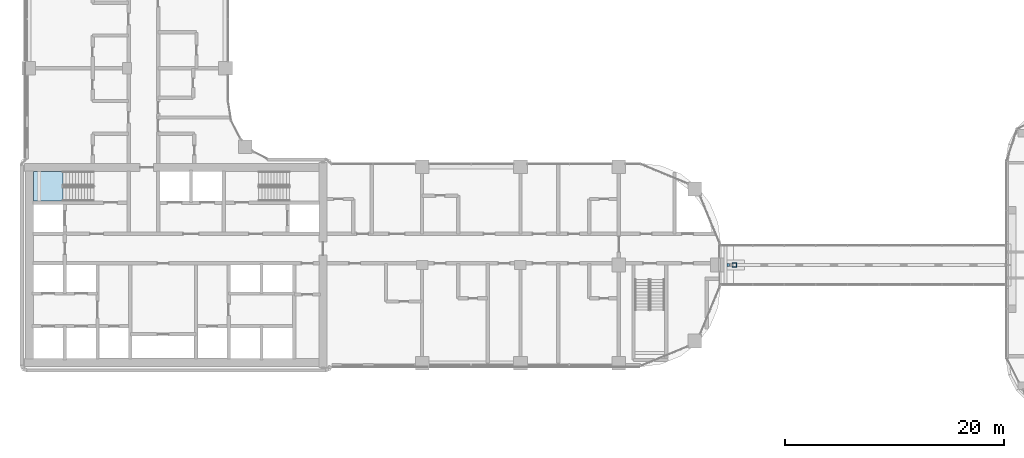
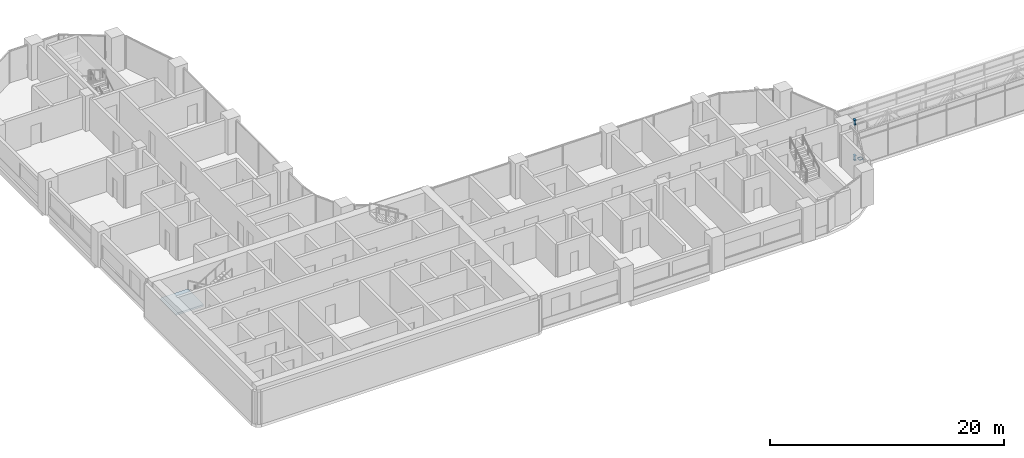
# One storey, part 11 of 33: 3 members, 1 slab, 1 element without a shape of its own.
"""IFC4 building model written with IfcOpenShell, lengths in metres."""

from ifc_helpers import new_model, si_unit, direction, frame, origin, origin_2d, place, context, subcontext, project, spatial, polyline, hollow_rectangle, i_section, outline, extrude, material, layer, layer_set, material_profile, profile_set, type_object, element, aggregate, save


model = new_model("IFC4")

# Units and contexts
model_context = context("Model", 3, precision=1e-05, world=origin(), true_north=direction((0.0, 1.0)))
body_context = subcontext(model_context, "Body", "Model", "MODEL_VIEW")
ifc_project = project(units=[si_unit("LENGTHUNIT", "METRE"), si_unit("AREAUNIT", "SQUARE_METRE"), si_unit("VOLUMEUNIT", "CUBIC_METRE"), si_unit("PLANEANGLEUNIT", "RADIAN"), si_unit("MASSUNIT", "GRAM", prefix="KILO")], contexts=[model_context])

# Site, building, storey
site_placement = place(None, origin())
site = spatial("IfcSite", under=ifc_project, at=site_placement, CompositionType="ELEMENT")
building_placement = place(site_placement, origin())
building = spatial("IfcBuilding", under=site, at=building_placement, Name="Ogive Portal Towers", CompositionType="ELEMENT")
storey_placement = place(building_placement, frame((0.0, 0.0, 101.89990234375)))
storey = spatial("IfcBuildingStorey", under=building, at=storey_placement, Name="L24", CompositionType="ELEMENT", Elevation=101.89990234375)

# Members
ifc_material_1 = material(Name="Steel S355", Category="steel")
ifc_material_profile_1 = material_profile(ifc_material_1, hollow_rectangle(XDim=0.39990234375, YDim=0.39990234375, WallThickness=0.02490234375, at=origin_2d()), Name="BOX 400x400x25")
ifc_profile_set_1 = profile_set([ifc_material_profile_1], Name="Steel S355")
member_type_1 = type_object("IfcMemberType", Name="BEARING BOX 400x400x25", PredefinedType="USERDEFINED", material=ifc_profile_set_1)
member_placement = place(storey_placement, frame((96.074951171875, 30.5, -0.923828125), z_axis=(0.0, 0.0, 1.0), x_axis=(1.0, 0.0, 0.0)))
element("IfcMember", 1, at=member_placement, inside=storey, type_object=member_type_1, Name="Sliding bearing L24", ObjectType="BEARING", PredefinedType="USERDEFINED", context=body_context, shape_type="SweptSolid", body=[
    extrude(hollow_rectangle(XDim=0.39990234375, YDim=0.39990234375, WallThickness=0.02490234375, at=origin_2d()), origin(), (0.0, 0.0, 1.0), 0.099853515625),
])
ifc_material_profile_2 = material_profile(ifc_material_1, i_section(OverallWidth=0.305908203125, OverallDepth=0.52392578125, WebThickness=0.02099609375, FlangeThickness=0.0400390625, FilletRadius=0.027099609375, at=origin_2d()), Name="HEM 500")
ifc_profile_set_2 = profile_set([ifc_material_profile_2], Name="Steel S355")
member_type_2 = type_object("IfcMemberType", Name="CHORD HEM 500", PredefinedType="CHORD", material=ifc_profile_set_2)
for number, where, z_axis, x_axis, name in (
    (2, (95.425048828125, 30.5, -0.56201171875), (1.0, 0.0, 0.0), (0.0, 1.0, 0.0), "Glass corridor truss bottom chord"),
    (3, (95.425048828125, 30.5, 3.13818359375), (1.0, 0.0, 0.0), (0.0, 1.0, 0.0), "Glass corridor truss top chord"),
):
    element("IfcMember", number, at=place(storey_placement, frame(where, z_axis=z_axis, x_axis=x_axis)), inside=storey, type_object=member_type_2, Name=name, PredefinedType="CHORD", context=body_context, shape_type="SweptSolid", body=[
        extrude(i_section(OverallWidth=0.305908203125, OverallDepth=0.52392578125, WebThickness=0.02099609375, FlangeThickness=0.0400390625, FilletRadius=0.027099609375, at=origin_2d()), origin(), (0.0, 0.0, 1.0), 0.199951171875),
    ])

# Stair, slab
ifc_material_2 = material(Name="Concrete C40/50", Category="concrete")
stair_type = type_object("IfcStairType", Name="INT-STAIR", PredefinedType="HALF_TURN_STAIR", material=ifc_material_2)
stair_placement = place(storey_placement, origin())
stair = element("IfcStair", 4, at=stair_placement, inside=storey, type_object=stair_type, Name="L24 Exit Stair ST-A1", PredefinedType="HALF_TURN_STAIR")
ifc_layer = layer(ifc_material_2, 0.199951171875)
ifc_layer_set = layer_set([ifc_layer], Name="INT-LANDING")
slab_type = type_object("IfcSlabType", Name="INT-LANDING", PredefinedType="LANDING", material=ifc_layer_set)
slab_placement = place(storey_placement, frame((0.0, 0.0, 1.650146484375)))
slab = element("IfcSlab", 5, at=slab_placement, type_object=slab_type, Name="ST-A1 landing 1", PredefinedType="LANDING", context=body_context, shape_type="SweptSolid", body=[
    extrude(outline(polyline([(34.64990234375, 39.050048828125), (31.949951171875, 39.050048828125), (31.949951171875, 36.35009765625), (34.64990234375, 36.35009765625), (34.64990234375, 39.050048828125)])), origin(), (0.0, 0.0, 1.0), 0.199951171875),
])
aggregate(stair, [slab])

save(model, "model.ifc")
